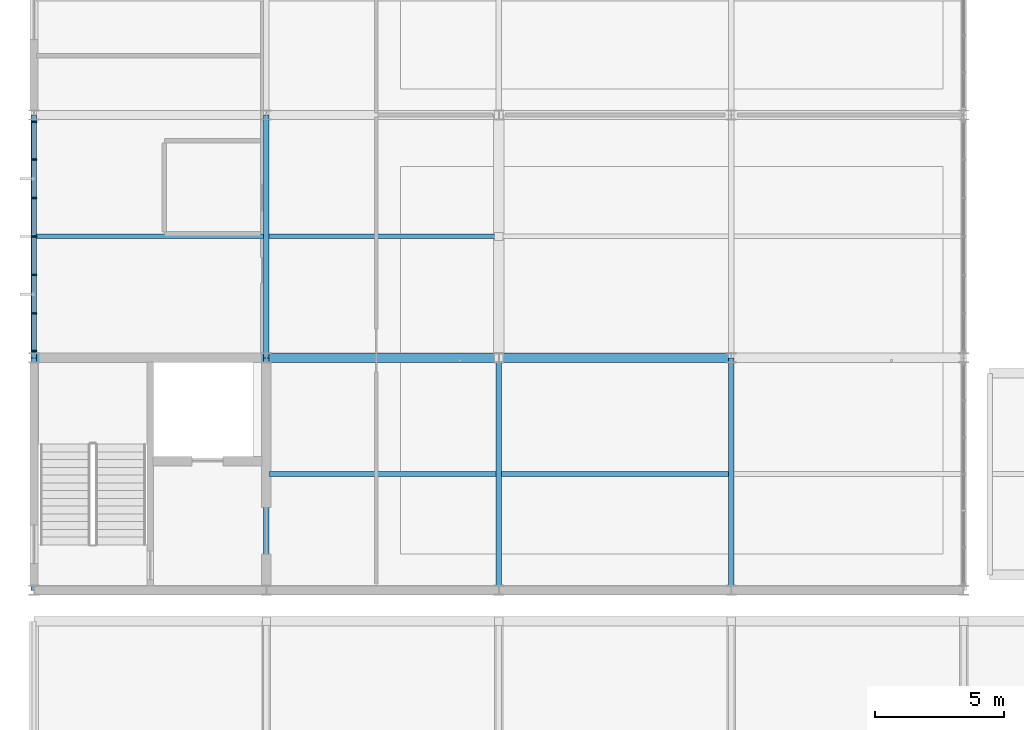
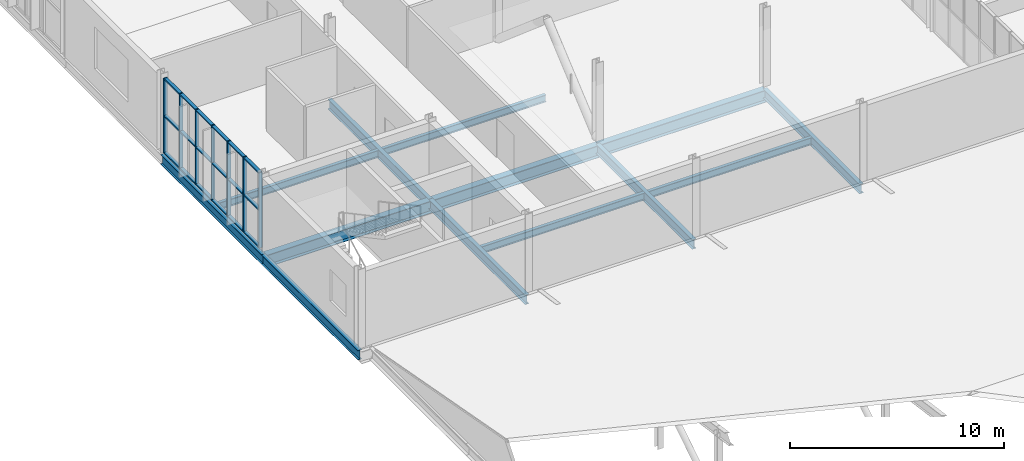
# One storey, part 11 of 103: 25 members, 13 beams, 1 element without a shape of its own.
"""IFC4 building model written with IfcOpenShell, lengths in metres."""

from ifc_helpers import new_model, si_unit, direction, frame, origin, origin_2d, place, context, subcontext, project, spatial, rectangle, i_section, extrude, material, layer, layer_set, material_profile, profile_set, type_object, element, aggregate, save


model = new_model("IFC4")

# Units and contexts
model_context = context("Model", 3, precision=1e-05, world=origin(), true_north=direction((0.0, 1.0)))
body_context = subcontext(model_context, "Body", "Model", "MODEL_VIEW")
ifc_project = project(units=[si_unit("LENGTHUNIT", "METRE"), si_unit("AREAUNIT", "SQUARE_METRE"), si_unit("VOLUMEUNIT", "CUBIC_METRE"), si_unit("PLANEANGLEUNIT", "RADIAN"), si_unit("MASSUNIT", "GRAM", prefix="KILO")], contexts=[model_context])

# Site, building, storey
site_placement = place(None, origin())
site = spatial("IfcSite", under=ifc_project, at=site_placement, CompositionType="ELEMENT")
building_placement = place(site_placement, origin())
building = spatial("IfcBuilding", under=site, at=building_placement, Name="Cazmaro Siding Exhibition Halls", CompositionType="ELEMENT")
storey_placement = place(building_placement, frame((0.0, 0.0, 16.5)))
storey = spatial("IfcBuildingStorey", under=building, at=storey_placement, Name="L03", CompositionType="ELEMENT", Elevation=16.5)

# Beams
ifc_material_1 = material(Name="Steel ASTM A992 Grade 50", Category="steel")
ifc_material_profile_1 = material_profile(ifc_material_1, i_section(OverallWidth=0.214111328125, OverallDepth=0.549072265625, WebThickness=0.014892578125, FlangeThickness=0.02392578125, at=origin_2d()), Name="W21X93")
ifc_profile_set_1 = profile_set([ifc_material_profile_1], Name="Steel ASTM A992 Grade 50")
beam_type_1 = type_object("IfcBeamType", Name="B-01", PredefinedType="BEAM", material=ifc_profile_set_1)
beam_1_placement = place(storey_placement, frame((0.0, 54.60009765625, -0.493896484375), z_axis=(0.0, 1.0, 0.0), x_axis=(-1.0, 0.0, 0.0)))
element("IfcBeam", 1, at=beam_1_placement, inside=storey, type_object=beam_type_1, Name="Beam B-01 BM-2238", PredefinedType="BEAM", context=body_context, shape_type="SweptSolid", body=[
    extrude(i_section(OverallWidth=0.214111328125, OverallDepth=0.549072265625, WebThickness=0.014892578125, FlangeThickness=0.02392578125, at=origin_2d()), origin(), (0.0, 0.0, 1.0), 9.0),
])
beam_2_placement = place(storey_placement, frame((0.0, 63.60009765625, -0.493896484375), z_axis=(0.0, 1.0, 0.0), x_axis=(-1.0, 0.0, 0.0)))
element("IfcBeam", 2, at=beam_2_placement, inside=storey, type_object=beam_type_1, Name="Beam B-01 BM-2239", PredefinedType="BEAM", context=body_context, shape_type="SweptSolid", body=[
    extrude(i_section(OverallWidth=0.214111328125, OverallDepth=0.549072265625, WebThickness=0.014892578125, FlangeThickness=0.02392578125, at=origin_2d()), origin(), (0.0, 0.0, 1.0), 9.39990234375),
])
beam_3_placement = place(storey_placement, frame((9.0, 54.60009765625, -0.493896484375), z_axis=(0.0, 1.0, 0.0), x_axis=(-1.0, 0.0, 0.0)))
element("IfcBeam", 3, at=beam_3_placement, inside=storey, type_object=beam_type_1, Name="Beam B-01 BM-2246", PredefinedType="BEAM", context=body_context, shape_type="SweptSolid", body=[
    extrude(i_section(OverallWidth=0.214111328125, OverallDepth=0.549072265625, WebThickness=0.014892578125, FlangeThickness=0.02392578125, at=origin_2d()), origin(), (0.0, 0.0, 1.0), 9.0),
])
beam_4_placement = place(storey_placement, frame((9.0, 63.60009765625, -0.493896484375), z_axis=(0.0, 1.0, 0.0), x_axis=(-1.0, 0.0, 0.0)))
element("IfcBeam", 4, at=beam_4_placement, inside=storey, type_object=beam_type_1, Name="Beam B-01 BM-2247", PredefinedType="BEAM", context=body_context, shape_type="SweptSolid", body=[
    extrude(i_section(OverallWidth=0.214111328125, OverallDepth=0.549072265625, WebThickness=0.014892578125, FlangeThickness=0.02392578125, at=origin_2d()), origin(), (0.0, 0.0, 1.0), 9.39990234375),
])
for number, where, z_axis, x_axis, name in (
    (5, (18.0, 54.60009765625, -0.493896484375), (0.0, 1.0, 0.0), (-1.0, 0.0, 0.0), "Beam B-01 BM-2254"),
    (6, (27.0, 54.60009765625, -0.493896484375), (0.0, 1.0, 0.0), (-1.0, 0.0, 0.0), "Beam B-01 BM-2262"),
):
    element("IfcBeam", number, at=place(storey_placement, frame(where, z_axis=z_axis, x_axis=x_axis)), inside=storey, type_object=beam_type_1, Name=name, PredefinedType="BEAM", context=body_context, shape_type="SweptSolid", body=[
        extrude(i_section(OverallWidth=0.214111328125, OverallDepth=0.549072265625, WebThickness=0.014892578125, FlangeThickness=0.02392578125, at=origin_2d()), origin(), (0.0, 0.0, 1.0), 9.0),
    ])

# Curtain wall, members
ifc_material_2 = material(Name="Anodized Bronze Aluminum and Solar-Control Low-E Glazing", Category="aluminium")
ifc_layer = layer(ifc_material_2, 0.199951171875)
ifc_layer_set = layer_set([ifc_layer], Name="Anodized Bronze Aluminum and Solar-Control Low-E Glazing")
curtain_wall_type = type_object("IfcCurtainWallType", Name="CWS-02", PredefinedType="USERDEFINED", material=ifc_layer_set)
curtain_wall_placement = place(storey_placement, origin())
curtain_wall = element("IfcCurtainWall", 7, at=curtain_wall_placement, inside=storey, type_object=curtain_wall_type, Name="Glazed Curtain Wall CWS-02 CW-248", ObjectType="GLAZED CURTAIN WALL", PredefinedType="USERDEFINED")
ifc_material_3 = material(Name="Anodized Bronze Extruded Aluminum", Category="aluminium")
ifc_material_profile_2 = material_profile(ifc_material_3, rectangle(XDim=0.199951171875, YDim=0.06494140625, at=origin_2d()), Name="CWM-02")
ifc_profile_set_2 = profile_set([ifc_material_profile_2], Name="Anodized Bronze Extruded Aluminum")
member_type_1 = type_object("IfcMemberType", Name="CWM-02", PredefinedType="MULLION", material=ifc_profile_set_2)
member_1_placement = place(storey_placement, frame((0.0, 72.734619140625, 0.0), z_axis=(0.0, 0.0, 1.0), x_axis=(1.0, 0.0, 0.0)))
member_1 = element("IfcMember", 8, at=member_1_placement, type_object=member_type_1, Name="CWS-02 mullion 1", PredefinedType="MULLION", context=body_context, shape_type="SweptSolid", body=[
    extrude(rectangle(XDim=0.199951171875, YDim=0.06494140625, at=origin_2d()), origin(), (0.0, 0.0, 1.0), 4.280029296875),
])
member_2_placement = place(storey_placement, frame((0.0, 71.278076171875, 0.0), z_axis=(0.0, 0.0, 1.0), x_axis=(1.0, 0.0, 0.0)))
member_2 = element("IfcMember", 9, at=member_2_placement, type_object=member_type_1, Name="CWS-02 mullion 2", PredefinedType="MULLION", context=body_context, shape_type="SweptSolid", body=[
    extrude(rectangle(XDim=0.199951171875, YDim=0.06494140625, at=origin_2d()), origin(), (0.0, 0.0, 1.0), 4.280029296875),
])
member_3_placement = place(storey_placement, frame((0.0, 69.7890625, 0.0), z_axis=(0.0, 0.0, 1.0), x_axis=(1.0, 0.0, 0.0)))
member_3 = element("IfcMember", 10, at=member_3_placement, type_object=member_type_1, Name="CWS-02 mullion 3", PredefinedType="MULLION", context=body_context, shape_type="SweptSolid", body=[
    extrude(rectangle(XDim=0.199951171875, YDim=0.06494140625, at=origin_2d()), origin(), (0.0, 0.0, 1.0), 4.280029296875),
])
member_4_placement = place(storey_placement, frame((0.0, 68.300048828125, 0.0), z_axis=(0.0, 0.0, 1.0), x_axis=(1.0, 0.0, 0.0)))
member_4 = element("IfcMember", 11, at=member_4_placement, type_object=member_type_1, Name="CWS-02 mullion 4", PredefinedType="MULLION", context=body_context, shape_type="SweptSolid", body=[
    extrude(rectangle(XDim=0.199951171875, YDim=0.06494140625, at=origin_2d()), origin(), (0.0, 0.0, 1.0), 4.280029296875),
])
member_5_placement = place(storey_placement, frame((0.0, 66.81103515625, 0.0), z_axis=(0.0, 0.0, 1.0), x_axis=(1.0, 0.0, 0.0)))
member_5 = element("IfcMember", 12, at=member_5_placement, type_object=member_type_1, Name="CWS-02 mullion 5", PredefinedType="MULLION", context=body_context, shape_type="SweptSolid", body=[
    extrude(rectangle(XDim=0.199951171875, YDim=0.06494140625, at=origin_2d()), origin(), (0.0, 0.0, 1.0), 4.280029296875),
])
member_6_placement = place(storey_placement, frame((0.0, 65.322021484375, 0.0), z_axis=(0.0, 0.0, 1.0), x_axis=(1.0, 0.0, 0.0)))
member_6 = element("IfcMember", 13, at=member_6_placement, type_object=member_type_1, Name="CWS-02 mullion 6", PredefinedType="MULLION", context=body_context, shape_type="SweptSolid", body=[
    extrude(rectangle(XDim=0.199951171875, YDim=0.06494140625, at=origin_2d()), origin(), (0.0, 0.0, 1.0), 4.280029296875),
])
member_7_placement = place(storey_placement, frame((0.0, 63.865478515625, 0.0), z_axis=(0.0, 0.0, 1.0), x_axis=(1.0, 0.0, 0.0)))
member_7 = element("IfcMember", 14, at=member_7_placement, type_object=member_type_1, Name="CWS-02 mullion 7", PredefinedType="MULLION", context=body_context, shape_type="SweptSolid", body=[
    extrude(rectangle(XDim=0.199951171875, YDim=0.06494140625, at=origin_2d()), origin(), (0.0, 0.0, 1.0), 4.280029296875),
])
ifc_material_4 = material(Name="Anodized Bronze Extruded Aluminum", Category="aluminium")
ifc_material_profile_3 = material_profile(ifc_material_4, rectangle(XDim=0.179931640625, YDim=0.06494140625, at=origin_2d()), Name="CWT-02")
ifc_profile_set_3 = profile_set([ifc_material_profile_3], Name="Anodized Bronze Extruded Aluminum")
member_type_2 = type_object("IfcMemberType", Name="CWT-02", PredefinedType="MULLION", material=ifc_profile_set_3)
member_8_placement = place(storey_placement, frame((0.0, 72.701904296875, 0.032470703125), z_axis=(0.0, -1.0, 0.0), x_axis=(1.0, 0.0, 0.0)))
member_8 = element("IfcMember", 15, at=member_8_placement, type_object=member_type_2, Name="CWS-02 transom 1.1", ObjectType="TRANSOM", PredefinedType="USERDEFINED", context=body_context, shape_type="SweptSolid", body=[
    extrude(rectangle(XDim=0.179931640625, YDim=0.06494140625, at=origin_2d()), origin(), (0.0, 0.0, 1.0), 1.391357421875),
])
member_9_placement = place(storey_placement, frame((0.0, 72.701904296875, 2.139892578125), z_axis=(0.0, -1.0, 0.0), x_axis=(1.0, 0.0, 0.0)))
member_9 = element("IfcMember", 16, at=member_9_placement, type_object=member_type_2, Name="CWS-02 transom 1.2", ObjectType="TRANSOM", PredefinedType="USERDEFINED", context=body_context, shape_type="SweptSolid", body=[
    extrude(rectangle(XDim=0.179931640625, YDim=0.06494140625, at=origin_2d()), origin(), (0.0, 0.0, 1.0), 1.391357421875),
])
member_10_placement = place(storey_placement, frame((0.0, 72.701904296875, 4.24755859375), z_axis=(0.0, -1.0, 0.0), x_axis=(1.0, 0.0, 0.0)))
member_10 = element("IfcMember", 17, at=member_10_placement, type_object=member_type_2, Name="CWS-02 transom 1.3", ObjectType="TRANSOM", PredefinedType="USERDEFINED", context=body_context, shape_type="SweptSolid", body=[
    extrude(rectangle(XDim=0.179931640625, YDim=0.06494140625, at=origin_2d()), origin(), (0.0, 0.0, 1.0), 1.391357421875),
])
member_11_placement = place(storey_placement, frame((0.0, 71.24560546875, 0.032470703125), z_axis=(0.0, -1.0, 0.0), x_axis=(1.0, 0.0, 0.0)))
member_11 = element("IfcMember", 18, at=member_11_placement, type_object=member_type_2, Name="CWS-02 transom 2.1", ObjectType="TRANSOM", PredefinedType="USERDEFINED", context=body_context, shape_type="SweptSolid", body=[
    extrude(rectangle(XDim=0.179931640625, YDim=0.06494140625, at=origin_2d()), origin(), (0.0, 0.0, 1.0), 1.424072265625),
])
member_12_placement = place(storey_placement, frame((0.0, 71.24560546875, 2.139892578125), z_axis=(0.0, -1.0, 0.0), x_axis=(1.0, 0.0, 0.0)))
member_12 = element("IfcMember", 19, at=member_12_placement, type_object=member_type_2, Name="CWS-02 transom 2.2", ObjectType="TRANSOM", PredefinedType="USERDEFINED", context=body_context, shape_type="SweptSolid", body=[
    extrude(rectangle(XDim=0.179931640625, YDim=0.06494140625, at=origin_2d()), origin(), (0.0, 0.0, 1.0), 1.424072265625),
])
member_13_placement = place(storey_placement, frame((0.0, 71.24560546875, 4.24755859375), z_axis=(0.0, -1.0, 0.0), x_axis=(1.0, 0.0, 0.0)))
member_13 = element("IfcMember", 20, at=member_13_placement, type_object=member_type_2, Name="CWS-02 transom 2.3", ObjectType="TRANSOM", PredefinedType="USERDEFINED", context=body_context, shape_type="SweptSolid", body=[
    extrude(rectangle(XDim=0.179931640625, YDim=0.06494140625, at=origin_2d()), origin(), (0.0, 0.0, 1.0), 1.424072265625),
])
member_14_placement = place(storey_placement, frame((0.0, 69.756591796875, 0.032470703125), z_axis=(0.0, -1.0, 0.0), x_axis=(1.0, 0.0, 0.0)))
member_14 = element("IfcMember", 21, at=member_14_placement, type_object=member_type_2, Name="CWS-02 transom 3.1", ObjectType="TRANSOM", PredefinedType="USERDEFINED", context=body_context, shape_type="SweptSolid", body=[
    extrude(rectangle(XDim=0.179931640625, YDim=0.06494140625, at=origin_2d()), origin(), (0.0, 0.0, 1.0), 1.424072265625),
])
member_15_placement = place(storey_placement, frame((0.0, 69.756591796875, 2.139892578125), z_axis=(0.0, -1.0, 0.0), x_axis=(1.0, 0.0, 0.0)))
member_15 = element("IfcMember", 22, at=member_15_placement, type_object=member_type_2, Name="CWS-02 transom 3.2", ObjectType="TRANSOM", PredefinedType="USERDEFINED", context=body_context, shape_type="SweptSolid", body=[
    extrude(rectangle(XDim=0.179931640625, YDim=0.06494140625, at=origin_2d()), origin(), (0.0, 0.0, 1.0), 1.424072265625),
])
member_16_placement = place(storey_placement, frame((0.0, 69.756591796875, 4.24755859375), z_axis=(0.0, -1.0, 0.0), x_axis=(1.0, 0.0, 0.0)))
member_16 = element("IfcMember", 23, at=member_16_placement, type_object=member_type_2, Name="CWS-02 transom 3.3", ObjectType="TRANSOM", PredefinedType="USERDEFINED", context=body_context, shape_type="SweptSolid", body=[
    extrude(rectangle(XDim=0.179931640625, YDim=0.06494140625, at=origin_2d()), origin(), (0.0, 0.0, 1.0), 1.424072265625),
])
member_17_placement = place(storey_placement, frame((0.0, 68.267578125, 0.032470703125), z_axis=(0.0, -1.0, 0.0), x_axis=(1.0, 0.0, 0.0)))
member_17 = element("IfcMember", 24, at=member_17_placement, type_object=member_type_2, Name="CWS-02 transom 4.1", ObjectType="TRANSOM", PredefinedType="USERDEFINED", context=body_context, shape_type="SweptSolid", body=[
    extrude(rectangle(XDim=0.179931640625, YDim=0.06494140625, at=origin_2d()), origin(), (0.0, 0.0, 1.0), 1.424072265625),
])
member_18_placement = place(storey_placement, frame((0.0, 68.267578125, 2.139892578125), z_axis=(0.0, -1.0, 0.0), x_axis=(1.0, 0.0, 0.0)))
member_18 = element("IfcMember", 25, at=member_18_placement, type_object=member_type_2, Name="CWS-02 transom 4.2", ObjectType="TRANSOM", PredefinedType="USERDEFINED", context=body_context, shape_type="SweptSolid", body=[
    extrude(rectangle(XDim=0.179931640625, YDim=0.06494140625, at=origin_2d()), origin(), (0.0, 0.0, 1.0), 1.424072265625),
])
member_19_placement = place(storey_placement, frame((0.0, 68.267578125, 4.24755859375), z_axis=(0.0, -1.0, 0.0), x_axis=(1.0, 0.0, 0.0)))
member_19 = element("IfcMember", 26, at=member_19_placement, type_object=member_type_2, Name="CWS-02 transom 4.3", ObjectType="TRANSOM", PredefinedType="USERDEFINED", context=body_context, shape_type="SweptSolid", body=[
    extrude(rectangle(XDim=0.179931640625, YDim=0.06494140625, at=origin_2d()), origin(), (0.0, 0.0, 1.0), 1.424072265625),
])
member_20_placement = place(storey_placement, frame((0.0, 66.778564453125, 0.032470703125), z_axis=(0.0, -1.0, 0.0), x_axis=(1.0, 0.0, 0.0)))
member_20 = element("IfcMember", 27, at=member_20_placement, type_object=member_type_2, Name="CWS-02 transom 5.1", ObjectType="TRANSOM", PredefinedType="USERDEFINED", context=body_context, shape_type="SweptSolid", body=[
    extrude(rectangle(XDim=0.179931640625, YDim=0.06494140625, at=origin_2d()), origin(), (0.0, 0.0, 1.0), 1.424072265625),
])
member_21_placement = place(storey_placement, frame((0.0, 66.778564453125, 2.139892578125), z_axis=(0.0, -1.0, 0.0), x_axis=(1.0, 0.0, 0.0)))
member_21 = element("IfcMember", 28, at=member_21_placement, type_object=member_type_2, Name="CWS-02 transom 5.2", ObjectType="TRANSOM", PredefinedType="USERDEFINED", context=body_context, shape_type="SweptSolid", body=[
    extrude(rectangle(XDim=0.179931640625, YDim=0.06494140625, at=origin_2d()), origin(), (0.0, 0.0, 1.0), 1.424072265625),
])
member_22_placement = place(storey_placement, frame((0.0, 66.778564453125, 4.24755859375), z_axis=(0.0, -1.0, 0.0), x_axis=(1.0, 0.0, 0.0)))
member_22 = element("IfcMember", 29, at=member_22_placement, type_object=member_type_2, Name="CWS-02 transom 5.3", ObjectType="TRANSOM", PredefinedType="USERDEFINED", context=body_context, shape_type="SweptSolid", body=[
    extrude(rectangle(XDim=0.179931640625, YDim=0.06494140625, at=origin_2d()), origin(), (0.0, 0.0, 1.0), 1.424072265625),
])
member_23_placement = place(storey_placement, frame((0.0, 65.28955078125, 0.032470703125), z_axis=(0.0, -1.0, 0.0), x_axis=(1.0, 0.0, 0.0)))
member_23 = element("IfcMember", 30, at=member_23_placement, type_object=member_type_2, Name="CWS-02 transom 6.1", ObjectType="TRANSOM", PredefinedType="USERDEFINED", context=body_context, shape_type="SweptSolid", body=[
    extrude(rectangle(XDim=0.179931640625, YDim=0.06494140625, at=origin_2d()), origin(), (0.0, 0.0, 1.0), 1.3916015625),
])
member_24_placement = place(storey_placement, frame((0.0, 65.28955078125, 2.139892578125), z_axis=(0.0, -1.0, 0.0), x_axis=(1.0, 0.0, 0.0)))
member_24 = element("IfcMember", 31, at=member_24_placement, type_object=member_type_2, Name="CWS-02 transom 6.2", ObjectType="TRANSOM", PredefinedType="USERDEFINED", context=body_context, shape_type="SweptSolid", body=[
    extrude(rectangle(XDim=0.179931640625, YDim=0.06494140625, at=origin_2d()), origin(), (0.0, 0.0, 1.0), 1.3916015625),
])
member_25_placement = place(storey_placement, frame((0.0, 65.28955078125, 4.24755859375), z_axis=(0.0, -1.0, 0.0), x_axis=(1.0, 0.0, 0.0)))
member_25 = element("IfcMember", 32, at=member_25_placement, type_object=member_type_2, Name="CWS-02 transom 6.3", ObjectType="TRANSOM", PredefinedType="USERDEFINED", context=body_context, shape_type="SweptSolid", body=[
    extrude(rectangle(XDim=0.179931640625, YDim=0.06494140625, at=origin_2d()), origin(), (0.0, 0.0, 1.0), 1.3916015625),
])
aggregate(curtain_wall, [member_1, member_2, member_3, member_4, member_5, member_6, member_7, member_8, member_9, member_10, member_11, member_12, member_13, member_14, member_15, member_16, member_17, member_18, member_19, member_20, member_21, member_22, member_23, member_24, member_25])

# Beams
ifc_material_5 = material(Name="Steel ASTM A992 Grade 50", Category="steel")
ifc_material_profile_4 = material_profile(ifc_material_5, i_section(OverallWidth=0.35595703125, OverallDepth=0.696044921875, WebThickness=0.014892578125, FlangeThickness=0.02490234375, at=origin_2d()), Name="W27X146")
ifc_profile_set_4 = profile_set([ifc_material_profile_4], Name="Steel ASTM A992 Grade 50")
beam_type_2 = type_object("IfcBeamType", Name="G-05", PredefinedType="USERDEFINED", material=ifc_profile_set_4)
for number, where, z_axis, x_axis, name in (
    (33, (0.0, 63.60009765625, -0.568115234375), (1.0, 0.0, 0.0), (0.0, 1.0, 0.0), "Beam G-05 BM-2173"),
    (34, (9.0, 63.60009765625, -0.568115234375), (1.0, 0.0, 0.0), (0.0, 1.0, 0.0), "Beam G-05 BM-2188"),
    (35, (18.0, 63.60009765625, -0.568115234375), (1.0, 0.0, 0.0), (0.0, 1.0, 0.0), "Beam G-05 BM-2205"),
):
    element("IfcBeam", number, at=place(storey_placement, frame(where, z_axis=z_axis, x_axis=x_axis)), inside=storey, type_object=beam_type_2, Name=name, ObjectType="GIRDER", PredefinedType="USERDEFINED", context=body_context, shape_type="SweptSolid", body=[
        extrude(i_section(OverallWidth=0.35595703125, OverallDepth=0.696044921875, WebThickness=0.014892578125, FlangeThickness=0.02490234375, at=origin_2d()), origin(), (0.0, 0.0, 1.0), 9.0),
    ])
ifc_material_6 = material(Name="Steel ASTM A992 Grade 50", Category="steel")
ifc_material_profile_5 = material_profile(ifc_material_6, i_section(OverallWidth=0.177978515625, OverallDepth=0.406005859375, WebThickness=0.008056640625, FlangeThickness=0.012939453125, at=origin_2d()), Name="W16X40")
ifc_profile_set_5 = profile_set([ifc_material_profile_5], Name="Steel ASTM A992 Grade 50")
beam_type_3 = type_object("IfcBeamType", Name="J-02", PredefinedType="JOIST", material=ifc_profile_set_5)
for number, where, z_axis, x_axis, name in (
    (36, (0.10693359375, 68.300048828125, -0.423095703125), (1.0, 0.0, 0.0), (0.0, 1.0, 0.0), "Beam J-02 BM-2181"),
    (37, (9.10693359375, 59.10009765625, -0.423095703125), (1.0, 0.0, 0.0), (0.0, 1.0, 0.0), "Beam J-02 BM-2196"),
    (38, (9.10693359375, 68.300048828125, -0.423095703125), (1.0, 0.0, 0.0), (0.0, 1.0, 0.0), "Beam J-02 BM-2197"),
    (39, (18.10693359375, 59.10009765625, -0.423095703125), (1.0, 0.0, 0.0), (0.0, 1.0, 0.0), "Beam J-02 BM-2213"),
):
    element("IfcBeam", number, at=place(storey_placement, frame(where, z_axis=z_axis, x_axis=x_axis)), inside=storey, type_object=beam_type_3, Name=name, PredefinedType="JOIST", context=body_context, shape_type="SweptSolid", body=[
        extrude(i_section(OverallWidth=0.177978515625, OverallDepth=0.406005859375, WebThickness=0.008056640625, FlangeThickness=0.012939453125, at=origin_2d()), origin(), (0.0, 0.0, 1.0), 8.7861328125),
    ])

save(model, "model.ifc")
